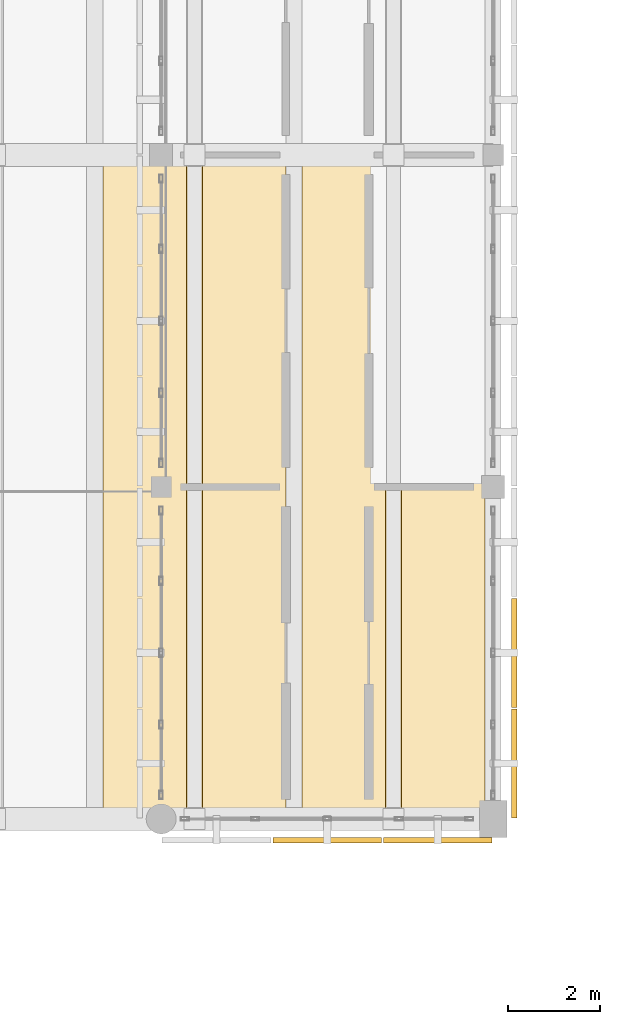
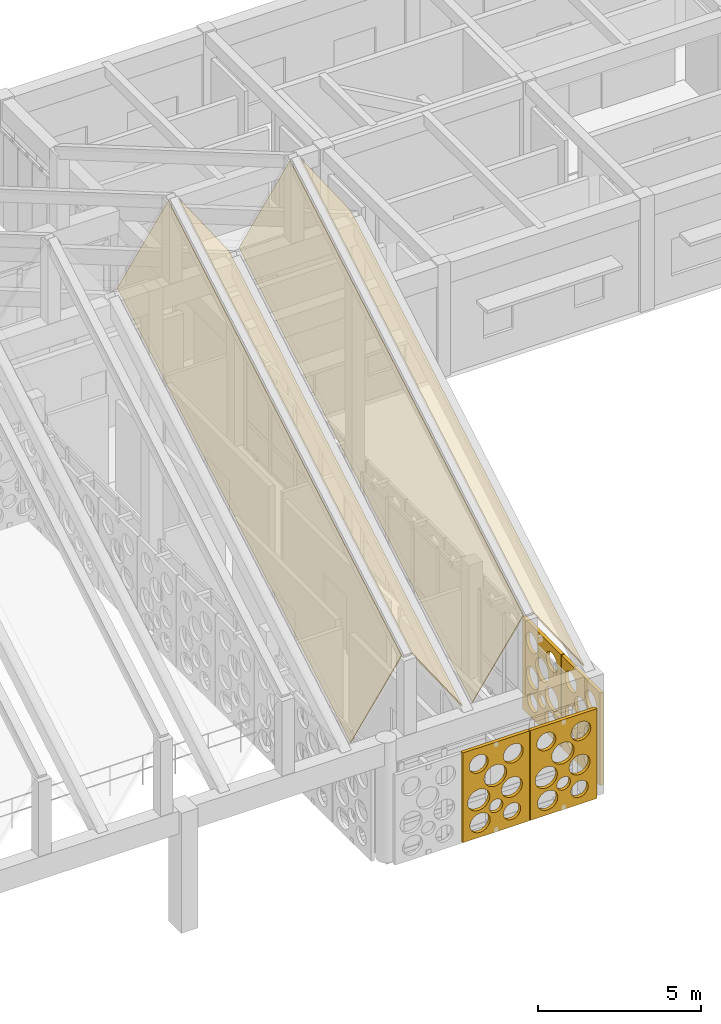
# One storey, part 160 of 171: 8 coverings.
"""IFC4 building model written with IfcOpenShell, lengths in metres."""

from ifc_helpers import new_model, si_unit, direction, frame, origin, place, context, subcontext, project, spatial, polyline, outline, extrude, material, layer, layer_set, type_object, element, save


model = new_model("IFC4")

# Units and contexts
model_context = context("Model", 3, precision=1e-05, world=origin(), true_north=direction((0.0, 1.0)))
body_context = subcontext(model_context, "Body", "Model", "MODEL_VIEW")
ifc_project = project(units=[si_unit("LENGTHUNIT", "METRE"), si_unit("AREAUNIT", "SQUARE_METRE"), si_unit("VOLUMEUNIT", "CUBIC_METRE"), si_unit("PLANEANGLEUNIT", "RADIAN"), si_unit("MASSUNIT", "GRAM", prefix="KILO")], contexts=[model_context])

# Site, building, storey
site_placement = place(None, origin())
site = spatial("IfcSite", under=ifc_project, at=site_placement, CompositionType="ELEMENT")
building_placement = place(site_placement, origin())
building = spatial("IfcBuilding", under=site, at=building_placement, Name="Aldebral Square Health Centre", CompositionType="ELEMENT")
storey_placement = place(building_placement, frame((0.0, 0.0, 4.5)))
storey = spatial("IfcBuildingStorey", under=building, at=storey_placement, Name="L01", CompositionType="ELEMENT", Elevation=4.5)

# Coverings
ifc_material_1 = material(Name="Insulated mineral standing-seam roofing")
ifc_layer_1 = layer(ifc_material_1, 0.0400390625, Name="Insulated mineral standing-seam roofing")
ifc_layer_set_1 = layer_set([ifc_layer_1], Name="Insulated mineral standing-seam roofing")
covering_type_1 = type_object("IfcCoveringType", Name="COV-RF-40", PredefinedType="ROOFING", material=ifc_layer_set_1)
covering_1_placement = place(storey_placement, frame((99.534912109375, 72.0, 4.735595703125), z_axis=(-0.783125616046, -0.3133373167, 0.537153605085), x_axis=(0.565638067086, 0.0, 0.82465361035)))
element("IfcCovering", 1, at=covering_1_placement, inside=storey, type_object=covering_type_1, Name="Waiting Hall folded-plate roof bay 9 SW standing-seam roofing", PredefinedType="ROOFING", context=body_context, shape_type="SweptSolid", body=[
    extrude(outline(polyline([(0.0, 0.0), (3.2000296639766255, 5.551115123125783e-17), (10.09824906129536, 15.100521563128028), (6.898219397318735, 15.100521563128028), (0.0, 0.0)])), origin(), (0.0, 0.0, -1.0), 0.0400390625),
])
covering_2_placement = place(storey_placement, frame((101.695068359375, 72.0, 7.37451171875), z_axis=(0.783166464322, -0.313311395424, 0.537109168288), x_axis=(0.565586180238, 0.0, -0.824689197652)))
element("IfcCovering", 2, at=covering_2_placement, inside=storey, type_object=covering_type_1, Name="Waiting Hall folded-plate roof bay 9 SE standing-seam roofing", PredefinedType="ROOFING", context=body_context, shape_type="SweptSolid", body=[
    extrude(outline(polyline([(0.0, 0.0), (3.19989157507911, 0.0), (-3.6986255096734153, 15.100385570024907), (-6.898517084752526, 15.100385570024907), (0.0, 0.0)])), origin(), (0.0, 0.0, -1.0), 0.0400390625),
])
covering_3_placement = place(storey_placement, frame((103.85498046875, 72.0, 4.735595703125), z_axis=(-0.783125616046, -0.3133373167, 0.537153605085), x_axis=(0.565638067086, 0.0, 0.82465361035)))
element("IfcCovering", 3, at=covering_3_placement, inside=storey, type_object=covering_type_1, Name="Waiting Hall folded-plate roof bay 10 SW standing-seam roofing", PredefinedType="ROOFING", context=body_context, shape_type="SweptSolid", body=[
    extrude(outline(polyline([(0.0, 0.0), (3.2000296639766255, 5.551115123125783e-17), (10.09824906129536, 15.100521563128028), (6.898219397318735, 15.100521563128028), (0.0, 0.0)])), origin(), (0.0, 0.0, -1.0), 0.0400390625),
])
covering_4_placement = place(storey_placement, frame((106.014892578125, 72.0, 7.37451171875), z_axis=(0.783125616046, -0.3133373167, 0.537153605085), x_axis=(0.565638067086, 0.0, -0.82465361035)))
element("IfcCovering", 4, at=covering_4_placement, inside=storey, type_object=covering_type_1, Name="Waiting Hall folded-plate roof bay 10 SE standing-seam roofing", PredefinedType="ROOFING", context=body_context, shape_type="SweptSolid", body=[
    extrude(outline(polyline([(0.0, 0.0), (3.2000296639766255, -5.551115123125783e-17), (-3.6981897333421103, 15.100521563128028), (-6.898219397318735, 15.100521563128028), (0.0, 0.0)])), origin(), (0.0, 0.0, -1.0), 0.0400390625),
])
ifc_material_2 = material(Name="Cream cantera perforated stone screen", Category="masonry")
ifc_layer_2 = layer(ifc_material_2, 0.1201171875, Name="Cream cantera perforated stone screen", Category="masonry")
ifc_layer_set_2 = layer_set([ifc_layer_2], Name="Cream cantera perforated stone screen")
covering_type_2 = type_object("IfcCoveringType", Name="COV-SCR-120", PredefinedType="CLADDING", material=ifc_layer_set_2)
covering_5_placement = place(storey_placement, frame((103.219970703125, 71.5400390625, 0.0), z_axis=(0.0, 0.0, 1.0), x_axis=(1.0, 0.0, 0.0)))
element("IfcCovering", 5, at=covering_5_placement, inside=storey, type_object=covering_type_2, Name="L01 V1 circular-aperture stone screen L01-V1-14-10-S.2", PredefinedType="CLADDING", context=body_context, shape_type="SweptSolid", body=[
    extrude(outline(polyline([(0.0, 0.0), (2.360107421875, 0.0), (2.360107421875, 3.3701171875), (0.0, 3.3701171875), (0.0, 0.0)]), holes=[polyline([(0.973388671875, 0.539306640625), (0.955810546875, 0.427978515625), (0.90478515625, 0.32763671875), (0.8251953125, 0.248046875), (0.724853515625, 0.197021484375), (0.613525390625, 0.17919921875), (0.50244140625, 0.197021484375), (0.402099609375, 0.248046875), (0.322509765625, 0.32763671875), (0.271240234375, 0.427978515625), (0.253662109375, 0.539306640625), (0.271240234375, 0.650390625), (0.322509765625, 0.750732421875), (0.402099609375, 0.830322265625), (0.50244140625, 0.881591796875), (0.613525390625, 0.899169921875), (0.724853515625, 0.881591796875), (0.8251953125, 0.830322265625), (0.90478515625, 0.750732421875), (0.955810546875, 0.650390625), (0.973388671875, 0.539306640625)]), polyline([(2.0546875, 0.572998046875), (2.039794921875, 0.4775390625), (1.995849609375, 0.3916015625), (1.927734375, 0.323486328125), (1.841796875, 0.279541015625), (1.746337890625, 0.264404296875), (1.651123046875, 0.279541015625), (1.565185546875, 0.323486328125), (1.496826171875, 0.3916015625), (1.453125, 0.4775390625), (1.43798828125, 0.572998046875), (1.453125, 0.668212890625), (1.496826171875, 0.754150390625), (1.565185546875, 0.822509765625), (1.651123046875, 0.8662109375), (1.746337890625, 0.88134765625), (1.841796875, 0.8662109375), (1.927734375, 0.822509765625), (1.995849609375, 0.754150390625), (2.039794921875, 0.668212890625), (2.0546875, 0.572998046875)]), polyline([(0.9619140625, 1.415283203125), (0.942626953125, 1.293212890625), (0.886474609375, 1.182861328125), (0.798828125, 1.095458984375), (0.688720703125, 1.039306640625), (0.56640625, 1.02001953125), (0.444091796875, 1.039306640625), (0.333984375, 1.095458984375), (0.246337890625, 1.182861328125), (0.190185546875, 1.293212890625), (0.1708984375, 1.415283203125), (0.190185546875, 1.53759765625), (0.246337890625, 1.64794921875), (0.333984375, 1.7353515625), (0.444091796875, 1.79150390625), (0.56640625, 1.810791015625), (0.688720703125, 1.79150390625), (0.798828125, 1.7353515625), (0.886474609375, 1.64794921875), (0.942626953125, 1.53759765625), (0.9619140625, 1.415283203125)]), polyline([(2.117919921875, 1.48291015625), (2.099853515625, 1.367919921875), (2.047119140625, 1.264404296875), (1.96484375, 1.18212890625), (1.861328125, 1.12939453125), (1.746337890625, 1.111083984375), (1.631591796875, 1.12939453125), (1.528076171875, 1.18212890625), (1.44580078125, 1.264404296875), (1.39306640625, 1.367919921875), (1.374755859375, 1.48291015625), (1.39306640625, 1.59765625), (1.44580078125, 1.701171875), (1.528076171875, 1.783447265625), (1.631591796875, 1.836181640625), (1.746337890625, 1.8544921875), (1.861328125, 1.836181640625), (1.96484375, 1.783447265625), (2.047119140625, 1.701171875), (2.099853515625, 1.59765625), (2.117919921875, 1.48291015625)]), polyline([(1.4248046875, 0.977294921875), (1.412841796875, 0.901611328125), (1.3779296875, 0.83349609375), (1.32373046875, 0.779296875), (1.255615234375, 0.74462890625), (1.179931640625, 0.732666015625), (1.1044921875, 0.74462890625), (1.0361328125, 0.779296875), (0.98193359375, 0.83349609375), (0.947265625, 0.901611328125), (0.935302734375, 0.977294921875), (0.947265625, 1.052978515625), (0.98193359375, 1.12109375), (1.0361328125, 1.17529296875), (1.1044921875, 1.2099609375), (1.179931640625, 1.221923828125), (1.255615234375, 1.2099609375), (1.32373046875, 1.17529296875), (1.3779296875, 1.12109375), (1.412841796875, 1.052978515625), (1.4248046875, 0.977294921875)]), polyline([(1.555419921875, 2.123046875), (1.535888671875, 1.999755859375), (1.479248046875, 1.888427734375), (1.390869140625, 1.80029296875), (1.27978515625, 1.74365234375), (1.156494140625, 1.72412109375), (1.032958984375, 1.74365234375), (0.921875, 1.80029296875), (0.83349609375, 1.888427734375), (0.77685546875, 1.999755859375), (0.75732421875, 2.123046875), (0.77685546875, 2.246337890625), (0.83349609375, 2.357666015625), (0.921875, 2.446044921875), (1.032958984375, 2.502685546875), (1.156494140625, 2.522216796875), (1.27978515625, 2.502685546875), (1.390869140625, 2.446044921875), (1.479248046875, 2.357666015625), (1.535888671875, 2.246337890625), (1.555419921875, 2.123046875)]), polyline([(0.904296875, 2.763427734375), (0.8876953125, 2.658935546875), (0.839599609375, 2.56494140625), (0.764892578125, 2.490234375), (0.6708984375, 2.442138671875), (0.56640625, 2.425537109375), (0.4619140625, 2.442138671875), (0.367919921875, 2.490234375), (0.293212890625, 2.56494140625), (0.2451171875, 2.658935546875), (0.228515625, 2.763427734375), (0.2451171875, 2.86767578125), (0.293212890625, 2.9619140625), (0.367919921875, 3.03662109375), (0.4619140625, 3.084716796875), (0.56640625, 3.101318359375), (0.6708984375, 3.084716796875), (0.764892578125, 3.03662109375), (0.839599609375, 2.9619140625), (0.8876953125, 2.86767578125), (0.904296875, 2.763427734375)]), polyline([(2.14599609375, 2.729736328125), (2.12890625, 2.620849609375), (2.078857421875, 2.5224609375), (2.000732421875, 2.444580078125), (1.902587890625, 2.39453125), (1.793701171875, 2.377197265625), (1.6845703125, 2.39453125), (1.58642578125, 2.444580078125), (1.50830078125, 2.5224609375), (1.458251953125, 2.620849609375), (1.441162109375, 2.729736328125), (1.458251953125, 2.838623046875), (1.50830078125, 2.93701171875), (1.58642578125, 3.014892578125), (1.6845703125, 3.06494140625), (1.793701171875, 3.082275390625), (1.902587890625, 3.06494140625), (2.000732421875, 3.014892578125), (2.078857421875, 2.93701171875), (2.12890625, 2.838623046875), (2.14599609375, 2.729736328125)])]), frame((0.0, 0.06005859375, 0.0), z_axis=(0.0, -1.0, 0.0), x_axis=(1.0, 0.0, 0.0)), (0.0, 0.0, 1.0), 0.1201171875),
])
covering_6_placement = place(storey_placement, frame((105.6201171875, 71.5400390625, 0.0), z_axis=(0.0, 0.0, 1.0), x_axis=(1.0, 0.0, 0.0)))
element("IfcCovering", 6, at=covering_6_placement, inside=storey, type_object=covering_type_2, Name="L01 V1 circular-aperture stone screen L01-V1-14-10-S.3", PredefinedType="CLADDING", context=body_context, shape_type="SweptSolid", body=[
    extrude(outline(polyline([(0.0, 0.0), (2.35986328125, 0.0), (2.35986328125, 3.3701171875), (0.0, 3.3701171875), (0.0, 0.0)]), holes=[polyline([(0.973388671875, 0.539306640625), (0.955810546875, 0.427978515625), (0.90478515625, 0.32763671875), (0.8251953125, 0.248046875), (0.724853515625, 0.197021484375), (0.613525390625, 0.17919921875), (0.50244140625, 0.197021484375), (0.402099609375, 0.248046875), (0.322509765625, 0.32763671875), (0.271240234375, 0.427978515625), (0.253662109375, 0.539306640625), (0.271240234375, 0.650390625), (0.322509765625, 0.750732421875), (0.402099609375, 0.830322265625), (0.50244140625, 0.881591796875), (0.613525390625, 0.899169921875), (0.724853515625, 0.881591796875), (0.8251953125, 0.830322265625), (0.90478515625, 0.750732421875), (0.955810546875, 0.650390625), (0.973388671875, 0.539306640625)]), polyline([(2.0546875, 0.572998046875), (2.039794921875, 0.4775390625), (1.995849609375, 0.3916015625), (1.927734375, 0.323486328125), (1.841796875, 0.279541015625), (1.746337890625, 0.264404296875), (1.651123046875, 0.279541015625), (1.565185546875, 0.323486328125), (1.496826171875, 0.3916015625), (1.453125, 0.4775390625), (1.43798828125, 0.572998046875), (1.453125, 0.668212890625), (1.496826171875, 0.754150390625), (1.565185546875, 0.822509765625), (1.651123046875, 0.8662109375), (1.746337890625, 0.88134765625), (1.841796875, 0.8662109375), (1.927734375, 0.822509765625), (1.995849609375, 0.754150390625), (2.039794921875, 0.668212890625), (2.0546875, 0.572998046875)]), polyline([(0.9619140625, 1.415283203125), (0.942626953125, 1.293212890625), (0.886474609375, 1.182861328125), (0.798828125, 1.095458984375), (0.688720703125, 1.039306640625), (0.56640625, 1.02001953125), (0.444091796875, 1.039306640625), (0.333984375, 1.095458984375), (0.246337890625, 1.182861328125), (0.190185546875, 1.293212890625), (0.1708984375, 1.415283203125), (0.190185546875, 1.53759765625), (0.246337890625, 1.64794921875), (0.333984375, 1.7353515625), (0.444091796875, 1.79150390625), (0.56640625, 1.810791015625), (0.688720703125, 1.79150390625), (0.798828125, 1.7353515625), (0.886474609375, 1.64794921875), (0.942626953125, 1.53759765625), (0.9619140625, 1.415283203125)]), polyline([(2.117919921875, 1.48291015625), (2.099853515625, 1.367919921875), (2.047119140625, 1.264404296875), (1.96484375, 1.18212890625), (1.861328125, 1.12939453125), (1.746337890625, 1.111083984375), (1.631591796875, 1.12939453125), (1.528076171875, 1.18212890625), (1.44580078125, 1.264404296875), (1.39306640625, 1.367919921875), (1.374755859375, 1.48291015625), (1.39306640625, 1.59765625), (1.44580078125, 1.701171875), (1.528076171875, 1.783447265625), (1.631591796875, 1.836181640625), (1.746337890625, 1.8544921875), (1.861328125, 1.836181640625), (1.96484375, 1.783447265625), (2.047119140625, 1.701171875), (2.099853515625, 1.59765625), (2.117919921875, 1.48291015625)]), polyline([(1.4248046875, 0.977294921875), (1.412841796875, 0.901611328125), (1.3779296875, 0.83349609375), (1.32373046875, 0.779296875), (1.255615234375, 0.74462890625), (1.179931640625, 0.732666015625), (1.1044921875, 0.74462890625), (1.0361328125, 0.779296875), (0.98193359375, 0.83349609375), (0.947265625, 0.901611328125), (0.935302734375, 0.977294921875), (0.947265625, 1.052978515625), (0.98193359375, 1.12109375), (1.0361328125, 1.17529296875), (1.1044921875, 1.2099609375), (1.179931640625, 1.221923828125), (1.255615234375, 1.2099609375), (1.32373046875, 1.17529296875), (1.3779296875, 1.12109375), (1.412841796875, 1.052978515625), (1.4248046875, 0.977294921875)]), polyline([(1.555419921875, 2.123046875), (1.535888671875, 1.999755859375), (1.479248046875, 1.888427734375), (1.390869140625, 1.80029296875), (1.27978515625, 1.74365234375), (1.156494140625, 1.72412109375), (1.032958984375, 1.74365234375), (0.921875, 1.80029296875), (0.83349609375, 1.888427734375), (0.77685546875, 1.999755859375), (0.75732421875, 2.123046875), (0.77685546875, 2.246337890625), (0.83349609375, 2.357666015625), (0.921875, 2.446044921875), (1.032958984375, 2.502685546875), (1.156494140625, 2.522216796875), (1.27978515625, 2.502685546875), (1.390869140625, 2.446044921875), (1.479248046875, 2.357666015625), (1.535888671875, 2.246337890625), (1.555419921875, 2.123046875)]), polyline([(0.904296875, 2.763427734375), (0.8876953125, 2.658935546875), (0.839599609375, 2.56494140625), (0.764892578125, 2.490234375), (0.6708984375, 2.442138671875), (0.56640625, 2.425537109375), (0.4619140625, 2.442138671875), (0.367919921875, 2.490234375), (0.293212890625, 2.56494140625), (0.2451171875, 2.658935546875), (0.228515625, 2.763427734375), (0.2451171875, 2.86767578125), (0.293212890625, 2.9619140625), (0.367919921875, 3.03662109375), (0.4619140625, 3.084716796875), (0.56640625, 3.101318359375), (0.6708984375, 3.084716796875), (0.764892578125, 3.03662109375), (0.839599609375, 2.9619140625), (0.8876953125, 2.86767578125), (0.904296875, 2.763427734375)]), polyline([(2.14599609375, 2.729736328125), (2.12890625, 2.620849609375), (2.078857421875, 2.5224609375), (2.000732421875, 2.444580078125), (1.902587890625, 2.39453125), (1.793701171875, 2.377197265625), (1.6845703125, 2.39453125), (1.58642578125, 2.444580078125), (1.50830078125, 2.5224609375), (1.458251953125, 2.620849609375), (1.441162109375, 2.729736328125), (1.458251953125, 2.838623046875), (1.50830078125, 2.93701171875), (1.58642578125, 3.014892578125), (1.6845703125, 3.06494140625), (1.793701171875, 3.082275390625), (1.902587890625, 3.06494140625), (2.000732421875, 3.014892578125), (2.078857421875, 2.93701171875), (2.12890625, 2.838623046875), (2.14599609375, 2.729736328125)])]), frame((0.0, 0.06005859375, 0.0), z_axis=(0.0, -1.0, 0.0), x_axis=(1.0, 0.0, 0.0)), (0.0, 0.0, 1.0), 0.1201171875),
])
covering_7_placement = place(storey_placement, frame((108.4599609375, 72.02001953125, 0.0), z_axis=(0.0, 0.0, 1.0), x_axis=(0.0, 1.0, 0.0)))
element("IfcCovering", 7, at=covering_7_placement, inside=storey, type_object=covering_type_2, Name="L01 V1 circular-aperture stone screen L01-V1-14-10-E.1", PredefinedType="CLADDING", context=body_context, shape_type="SweptSolid", body=[
    extrude(outline(polyline([(0.0, 0.0), (2.35986328125, 0.0), (2.35986328125, 3.469970703125), (0.0, 3.469970703125), (0.0, 0.0)]), holes=[polyline([(0.98486328125, 0.55517578125), (0.966552734375, 0.4404296875), (0.913818359375, 0.3369140625), (0.831787109375, 0.2548828125), (0.728271484375, 0.2021484375), (0.613525390625, 0.18408203125), (0.498779296875, 0.2021484375), (0.3955078125, 0.2548828125), (0.313232421875, 0.3369140625), (0.260498046875, 0.4404296875), (0.242431640625, 0.55517578125), (0.260498046875, 0.669921875), (0.313232421875, 0.7734375), (0.3955078125, 0.85546875), (0.498779296875, 0.908203125), (0.613525390625, 0.926513671875), (0.728271484375, 0.908203125), (0.831787109375, 0.85546875), (0.913818359375, 0.7734375), (0.966552734375, 0.669921875), (0.98486328125, 0.55517578125)]), polyline([(2.059326171875, 0.58984375), (2.0439453125, 0.4931640625), (1.99951171875, 0.406005859375), (1.930419921875, 0.336669921875), (1.843017578125, 0.292236328125), (1.746337890625, 0.277099609375), (1.649658203125, 0.292236328125), (1.5625, 0.336669921875), (1.4931640625, 0.406005859375), (1.44873046875, 0.4931640625), (1.43359375, 0.58984375), (1.44873046875, 0.6865234375), (1.4931640625, 0.77392578125), (1.5625, 0.843017578125), (1.649658203125, 0.887451171875), (1.746337890625, 0.90283203125), (1.843017578125, 0.887451171875), (1.930419921875, 0.843017578125), (1.99951171875, 0.77392578125), (2.0439453125, 0.6865234375), (2.059326171875, 0.58984375)]), polyline([(0.970703125, 1.45751953125), (0.950927734375, 1.33251953125), (0.8935546875, 1.2197265625), (0.803955078125, 1.13037109375), (0.69140625, 1.072998046875), (0.56640625, 1.052978515625), (0.44140625, 1.072998046875), (0.328857421875, 1.13037109375), (0.2392578125, 1.2197265625), (0.181884765625, 1.33251953125), (0.162109375, 1.45751953125), (0.181884765625, 1.582275390625), (0.2392578125, 1.695068359375), (0.328857421875, 1.784423828125), (0.44140625, 1.841796875), (0.56640625, 1.86181640625), (0.69140625, 1.841796875), (0.803955078125, 1.784423828125), (0.8935546875, 1.695068359375), (0.950927734375, 1.582275390625), (0.970703125, 1.45751953125)]), polyline([(2.124267578125, 1.52685546875), (2.105712890625, 1.41015625), (2.052001953125, 1.3046875), (1.968505859375, 1.22119140625), (1.863037109375, 1.16748046875), (1.746337890625, 1.14892578125), (1.629638671875, 1.16748046875), (1.5244140625, 1.22119140625), (1.440673828125, 1.3046875), (1.38720703125, 1.41015625), (1.36865234375, 1.52685546875), (1.38720703125, 1.6435546875), (1.440673828125, 1.748779296875), (1.5244140625, 1.83251953125), (1.629638671875, 1.88623046875), (1.746337890625, 1.904541015625), (1.863037109375, 1.88623046875), (1.968505859375, 1.83251953125), (2.052001953125, 1.748779296875), (2.105712890625, 1.6435546875), (2.124267578125, 1.52685546875)]), polyline([(1.42431640625, 1.00634765625), (1.412353515625, 0.9306640625), (1.377685546875, 0.862548828125), (1.32373046875, 0.80859375), (1.255615234375, 0.77392578125), (1.179931640625, 0.761962890625), (1.1044921875, 0.77392578125), (1.036376953125, 0.80859375), (0.982177734375, 0.862548828125), (0.947509765625, 0.9306640625), (0.935546875, 1.00634765625), (0.947509765625, 1.081787109375), (0.982177734375, 1.14990234375), (1.036376953125, 1.2041015625), (1.1044921875, 1.23876953125), (1.179931640625, 1.250732421875), (1.255615234375, 1.23876953125), (1.32373046875, 1.2041015625), (1.377685546875, 1.14990234375), (1.412353515625, 1.081787109375), (1.42431640625, 1.00634765625)]), polyline([(1.563232421875, 2.18603515625), (1.54345703125, 2.060302734375), (1.485595703125, 1.947021484375), (1.3955078125, 1.85693359375), (1.2822265625, 1.799072265625), (1.156494140625, 1.779296875), (1.03076171875, 1.799072265625), (0.917236328125, 1.85693359375), (0.8271484375, 1.947021484375), (0.76953125, 2.060302734375), (0.74951171875, 2.18603515625), (0.76953125, 2.311767578125), (0.8271484375, 2.42529296875), (0.917236328125, 2.515380859375), (1.03076171875, 2.572998046875), (1.156494140625, 2.593017578125), (1.2822265625, 2.572998046875), (1.3955078125, 2.515380859375), (1.485595703125, 2.42529296875), (1.54345703125, 2.311767578125), (1.563232421875, 2.18603515625)]), polyline([(0.9091796875, 2.845458984375), (0.892333984375, 2.739501953125), (0.84375, 2.64404296875), (0.767822265625, 2.568115234375), (0.67236328125, 2.51953125), (0.56640625, 2.502685546875), (0.46044921875, 2.51953125), (0.364990234375, 2.568115234375), (0.2890625, 2.64404296875), (0.240478515625, 2.739501953125), (0.2236328125, 2.845458984375), (0.240478515625, 2.951416015625), (0.2890625, 3.046875), (0.364990234375, 3.12255859375), (0.46044921875, 3.17138671875), (0.56640625, 3.18798828125), (0.67236328125, 3.17138671875), (0.767822265625, 3.12255859375), (0.84375, 3.046875), (0.892333984375, 2.951416015625), (0.9091796875, 2.845458984375)]), polyline([(2.1513671875, 2.810791015625), (2.1337890625, 2.7001953125), (2.0830078125, 2.600341796875), (2.00390625, 2.521240234375), (1.904052734375, 2.470458984375), (1.793701171875, 2.452880859375), (1.68310546875, 2.470458984375), (1.583251953125, 2.521240234375), (1.504150390625, 2.600341796875), (1.453369140625, 2.7001953125), (1.435791015625, 2.810791015625), (1.453369140625, 2.921142578125), (1.504150390625, 3.02099609375), (1.583251953125, 3.10009765625), (1.68310546875, 3.15087890625), (1.793701171875, 3.16845703125), (1.904052734375, 3.15087890625), (2.00390625, 3.10009765625), (2.0830078125, 3.02099609375), (2.1337890625, 2.921142578125), (2.1513671875, 2.810791015625)])]), frame((0.0, 0.06005859375, 0.0), z_axis=(0.0, -1.0, 0.0), x_axis=(1.0, 0.0, 0.0)), (0.0, 0.0, 1.0), 0.1201171875),
])
covering_8_placement = place(storey_placement, frame((108.4599609375, 74.419921875, 0.0), z_axis=(0.0, 0.0, 1.0), x_axis=(0.0, 1.0, 0.0)))
element("IfcCovering", 8, at=covering_8_placement, inside=storey, type_object=covering_type_2, Name="L01 V1 circular-aperture stone screen L01-V1-14-10-E.2", PredefinedType="CLADDING", context=body_context, shape_type="SweptSolid", body=[
    extrude(outline(polyline([(0.0, 0.0), (2.360107421875, 0.0), (2.360107421875, 3.469970703125), (0.0, 3.469970703125), (0.0, 0.0)]), holes=[polyline([(0.98486328125, 0.55517578125), (0.966552734375, 0.4404296875), (0.913818359375, 0.3369140625), (0.831787109375, 0.2548828125), (0.728271484375, 0.2021484375), (0.613525390625, 0.18408203125), (0.498779296875, 0.2021484375), (0.3955078125, 0.2548828125), (0.313232421875, 0.3369140625), (0.260498046875, 0.4404296875), (0.242431640625, 0.55517578125), (0.260498046875, 0.669921875), (0.313232421875, 0.7734375), (0.3955078125, 0.85546875), (0.498779296875, 0.908203125), (0.613525390625, 0.926513671875), (0.728271484375, 0.908203125), (0.831787109375, 0.85546875), (0.913818359375, 0.7734375), (0.966552734375, 0.669921875), (0.98486328125, 0.55517578125)]), polyline([(2.059326171875, 0.58984375), (2.0439453125, 0.4931640625), (1.99951171875, 0.406005859375), (1.930419921875, 0.336669921875), (1.843017578125, 0.292236328125), (1.746337890625, 0.277099609375), (1.649658203125, 0.292236328125), (1.5625, 0.336669921875), (1.4931640625, 0.406005859375), (1.44873046875, 0.4931640625), (1.43359375, 0.58984375), (1.44873046875, 0.6865234375), (1.4931640625, 0.77392578125), (1.5625, 0.843017578125), (1.649658203125, 0.887451171875), (1.746337890625, 0.90283203125), (1.843017578125, 0.887451171875), (1.930419921875, 0.843017578125), (1.99951171875, 0.77392578125), (2.0439453125, 0.6865234375), (2.059326171875, 0.58984375)]), polyline([(0.970703125, 1.45751953125), (0.950927734375, 1.33251953125), (0.8935546875, 1.2197265625), (0.803955078125, 1.13037109375), (0.69140625, 1.072998046875), (0.56640625, 1.052978515625), (0.44140625, 1.072998046875), (0.328857421875, 1.13037109375), (0.2392578125, 1.2197265625), (0.181884765625, 1.33251953125), (0.162109375, 1.45751953125), (0.181884765625, 1.582275390625), (0.2392578125, 1.695068359375), (0.328857421875, 1.784423828125), (0.44140625, 1.841796875), (0.56640625, 1.86181640625), (0.69140625, 1.841796875), (0.803955078125, 1.784423828125), (0.8935546875, 1.695068359375), (0.950927734375, 1.582275390625), (0.970703125, 1.45751953125)]), polyline([(2.124267578125, 1.52685546875), (2.105712890625, 1.41015625), (2.052001953125, 1.3046875), (1.968505859375, 1.22119140625), (1.863037109375, 1.16748046875), (1.746337890625, 1.14892578125), (1.629638671875, 1.16748046875), (1.5244140625, 1.22119140625), (1.440673828125, 1.3046875), (1.38720703125, 1.41015625), (1.36865234375, 1.52685546875), (1.38720703125, 1.6435546875), (1.440673828125, 1.748779296875), (1.5244140625, 1.83251953125), (1.629638671875, 1.88623046875), (1.746337890625, 1.904541015625), (1.863037109375, 1.88623046875), (1.968505859375, 1.83251953125), (2.052001953125, 1.748779296875), (2.105712890625, 1.6435546875), (2.124267578125, 1.52685546875)]), polyline([(1.42431640625, 1.00634765625), (1.412353515625, 0.9306640625), (1.377685546875, 0.862548828125), (1.32373046875, 0.80859375), (1.255615234375, 0.77392578125), (1.179931640625, 0.761962890625), (1.1044921875, 0.77392578125), (1.036376953125, 0.80859375), (0.982177734375, 0.862548828125), (0.947509765625, 0.9306640625), (0.935546875, 1.00634765625), (0.947509765625, 1.081787109375), (0.982177734375, 1.14990234375), (1.036376953125, 1.2041015625), (1.1044921875, 1.23876953125), (1.179931640625, 1.250732421875), (1.255615234375, 1.23876953125), (1.32373046875, 1.2041015625), (1.377685546875, 1.14990234375), (1.412353515625, 1.081787109375), (1.42431640625, 1.00634765625)]), polyline([(1.563232421875, 2.18603515625), (1.54345703125, 2.060302734375), (1.485595703125, 1.947021484375), (1.3955078125, 1.85693359375), (1.2822265625, 1.799072265625), (1.156494140625, 1.779296875), (1.03076171875, 1.799072265625), (0.917236328125, 1.85693359375), (0.8271484375, 1.947021484375), (0.76953125, 2.060302734375), (0.74951171875, 2.18603515625), (0.76953125, 2.311767578125), (0.8271484375, 2.42529296875), (0.917236328125, 2.515380859375), (1.03076171875, 2.572998046875), (1.156494140625, 2.593017578125), (1.2822265625, 2.572998046875), (1.3955078125, 2.515380859375), (1.485595703125, 2.42529296875), (1.54345703125, 2.311767578125), (1.563232421875, 2.18603515625)]), polyline([(0.9091796875, 2.845458984375), (0.892333984375, 2.739501953125), (0.84375, 2.64404296875), (0.767822265625, 2.568115234375), (0.67236328125, 2.51953125), (0.56640625, 2.502685546875), (0.46044921875, 2.51953125), (0.364990234375, 2.568115234375), (0.2890625, 2.64404296875), (0.240478515625, 2.739501953125), (0.2236328125, 2.845458984375), (0.240478515625, 2.951416015625), (0.2890625, 3.046875), (0.364990234375, 3.12255859375), (0.46044921875, 3.17138671875), (0.56640625, 3.18798828125), (0.67236328125, 3.17138671875), (0.767822265625, 3.12255859375), (0.84375, 3.046875), (0.892333984375, 2.951416015625), (0.9091796875, 2.845458984375)]), polyline([(2.1513671875, 2.810791015625), (2.1337890625, 2.7001953125), (2.0830078125, 2.600341796875), (2.00390625, 2.521240234375), (1.904052734375, 2.470458984375), (1.793701171875, 2.452880859375), (1.68310546875, 2.470458984375), (1.583251953125, 2.521240234375), (1.504150390625, 2.600341796875), (1.453369140625, 2.7001953125), (1.435791015625, 2.810791015625), (1.453369140625, 2.921142578125), (1.504150390625, 3.02099609375), (1.583251953125, 3.10009765625), (1.68310546875, 3.15087890625), (1.793701171875, 3.16845703125), (1.904052734375, 3.15087890625), (2.00390625, 3.10009765625), (2.0830078125, 3.02099609375), (2.1337890625, 2.921142578125), (2.1513671875, 2.810791015625)])]), frame((0.0, 0.06005859375, 0.0), z_axis=(0.0, -1.0, 0.0), x_axis=(1.0, 0.0, 0.0)), (0.0, 0.0, 1.0), 0.1201171875),
])

save(model, "model.ifc")
